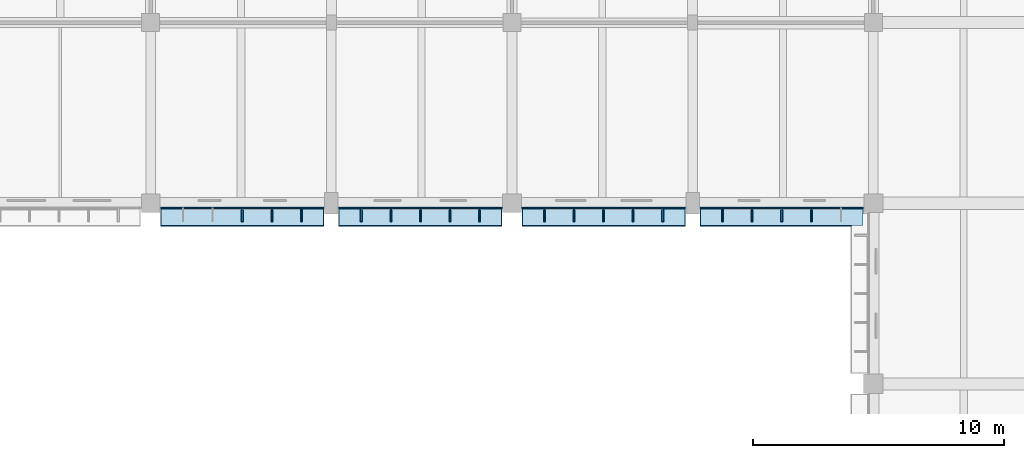
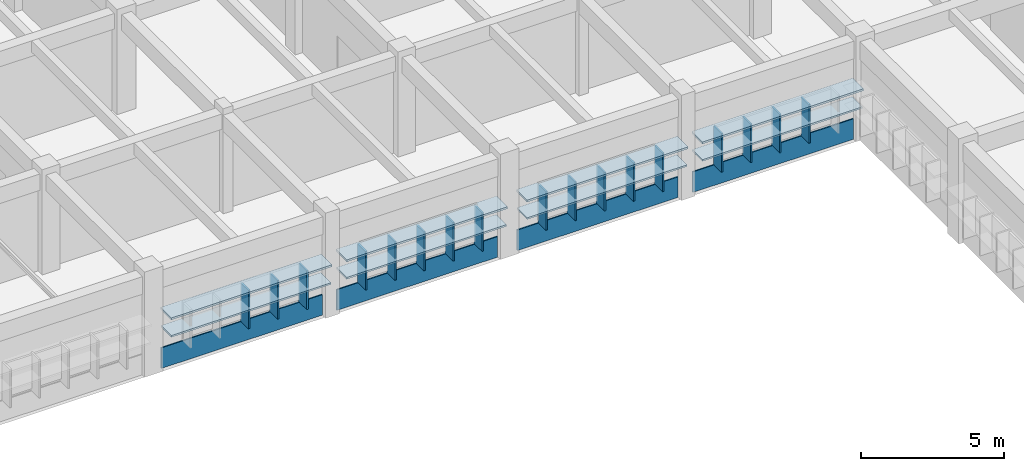
# One storey, part 29 of 61: 29 plates.
"""IFC4 building model written with IfcOpenShell, lengths in metres."""

from ifc_helpers import new_model, si_unit, direction, frame, origin, origin_2d, place, context, subcontext, project, spatial, rectangle, extrude, material, layer, layer_set, type_object, element, save


model = new_model("IFC4")

# Units and contexts
model_context = context("Model", 3, precision=1e-05, world=origin(), true_north=direction((0.0, 1.0)))
body_context = subcontext(model_context, "Body", "Model", "MODEL_VIEW")
ifc_project = project(units=[si_unit("LENGTHUNIT", "METRE"), si_unit("AREAUNIT", "SQUARE_METRE"), si_unit("VOLUMEUNIT", "CUBIC_METRE"), si_unit("PLANEANGLEUNIT", "RADIAN"), si_unit("MASSUNIT", "GRAM", prefix="KILO")], contexts=[model_context])

# Site, building, storey
site_placement = place(None, origin())
site = spatial("IfcSite", under=ifc_project, at=site_placement, CompositionType="ELEMENT")
building_placement = place(site_placement, origin())
building = spatial("IfcBuilding", under=site, at=building_placement, Name="Thalmaran Polytechnic", CompositionType="ELEMENT")
storey_placement = place(building_placement, frame((0.0, 0.0, 9.89990234375)))
storey = spatial("IfcBuildingStorey", under=building, at=storey_placement, Name="L02", CompositionType="ELEMENT", Elevation=9.89990234375)

# Plates
ifc_material_1 = material(Name="Anodised aluminium spandrel band", Category="aluminium")
ifc_layer_1 = layer(ifc_material_1, 0.054931640625, Name="Anodised aluminium spandrel band")
ifc_layer_set_1 = layer_set([ifc_layer_1], Name="Anodised aluminium spandrel band")
plate_type_1 = type_object("IfcPlateType", Name="PT-BD01", PredefinedType="SHEET", material=ifc_layer_set_1)
for number, where, z_axis, x_axis, name in (
    (1, (125.949951171875, 93.405029296875, 0.020263671875), (0.0, 0.0, 1.0), (-1.0, 0.0, 0.0), "Streamline Horizontal Spandrel Band L02-164"),
    (2, (118.85009765625, 93.405029296875, 0.020263671875), (0.0, 0.0, 1.0), (-1.0, 0.0, 0.0), "Streamline Horizontal Spandrel Band L02-165"),
    (3, (111.550048828125, 93.405029296875, 0.020263671875), (0.0, 0.0, 1.0), (-1.0, 0.0, 0.0), "Streamline Horizontal Spandrel Band L02-166"),
    (4, (104.449951171875, 93.405029296875, 0.020263671875), (0.0, 0.0, 1.0), (-1.0, 0.0, 0.0), "Streamline Horizontal Spandrel Band L02-167"),
):
    element("IfcPlate", number, at=place(storey_placement, frame(where, z_axis=z_axis, x_axis=x_axis)), inside=storey, type_object=plate_type_1, Name=name, PredefinedType="SHEET", context=body_context, shape_type="SweptSolid", body=[
        extrude(rectangle(XDim=6.510009765625, YDim=0.054931640625, at=origin_2d()), origin(), (0.0, 0.0, 1.0), 0.8798828125),
    ])
ifc_material_2 = material(Name="Anodised aluminium sun-hood eyebrow", Category="aluminium")
ifc_layer_2 = layer(ifc_material_2, 0.0849609375, Name="Anodised aluminium sun-hood eyebrow")
ifc_layer_set_2 = layer_set([ifc_layer_2], Name="Anodised aluminium sun-hood eyebrow")
plate_type_2 = type_object("IfcPlateType", Name="PT-EB01", PredefinedType="SHEET", material=ifc_layer_set_2)
plate_1_placement = place(storey_placement, frame((125.949951171875, 93.06005859375, 2.517578125), z_axis=(0.0, 0.0, 1.0), x_axis=(-1.0, 0.0, 0.0)))
element("IfcPlate", 5, at=plate_1_placement, inside=storey, type_object=plate_type_2, Name="Streamline Sun-Hood Eyebrow L02-164", PredefinedType="SHEET", context=body_context, shape_type="SweptSolid", body=[
    extrude(rectangle(XDim=6.510009765625, YDim=0.760009765625, at=origin_2d()), origin(), (0.0, 0.0, 1.0), 0.0849609375),
])
plate_2_placement = place(storey_placement, frame((125.949951171875, 93.080078125, 1.74267578125), z_axis=(0.0, 0.0, 1.0), x_axis=(-1.0, 0.0, 0.0)))
element("IfcPlate", 6, at=plate_2_placement, inside=storey, type_object=plate_type_2, Name="Abu Dhabi Horizontal Solar Louvre L02-164", PredefinedType="SHEET", context=body_context, shape_type="SweptSolid", body=[
    extrude(rectangle(XDim=6.469970703125, YDim=0.719970703125, at=origin_2d()), origin(), (0.0, 0.0, 1.0), 0.074951171875),
])
plate_3_placement = place(storey_placement, frame((118.85009765625, 93.06005859375, 2.517578125), z_axis=(0.0, 0.0, 1.0), x_axis=(-1.0, 0.0, 0.0)))
element("IfcPlate", 7, at=plate_3_placement, inside=storey, type_object=plate_type_2, Name="Streamline Sun-Hood Eyebrow L02-165", PredefinedType="SHEET", context=body_context, shape_type="SweptSolid", body=[
    extrude(rectangle(XDim=6.510009765625, YDim=0.760009765625, at=origin_2d()), origin(), (0.0, 0.0, 1.0), 0.0849609375),
])
plate_4_placement = place(storey_placement, frame((118.85009765625, 93.080078125, 1.74267578125), z_axis=(0.0, 0.0, 1.0), x_axis=(-1.0, 0.0, 0.0)))
element("IfcPlate", 8, at=plate_4_placement, inside=storey, type_object=plate_type_2, Name="Abu Dhabi Horizontal Solar Louvre L02-165", PredefinedType="SHEET", context=body_context, shape_type="SweptSolid", body=[
    extrude(rectangle(XDim=6.469970703125, YDim=0.719970703125, at=origin_2d()), origin(), (0.0, 0.0, 1.0), 0.074951171875),
])
plate_5_placement = place(storey_placement, frame((111.550048828125, 93.06005859375, 2.517578125), z_axis=(0.0, 0.0, 1.0), x_axis=(-1.0, 0.0, 0.0)))
element("IfcPlate", 9, at=plate_5_placement, inside=storey, type_object=plate_type_2, Name="Streamline Sun-Hood Eyebrow L02-166", PredefinedType="SHEET", context=body_context, shape_type="SweptSolid", body=[
    extrude(rectangle(XDim=6.510009765625, YDim=0.760009765625, at=origin_2d()), origin(), (0.0, 0.0, 1.0), 0.0849609375),
])
plate_6_placement = place(storey_placement, frame((111.550048828125, 93.080078125, 1.74267578125), z_axis=(0.0, 0.0, 1.0), x_axis=(-1.0, 0.0, 0.0)))
element("IfcPlate", 10, at=plate_6_placement, inside=storey, type_object=plate_type_2, Name="Abu Dhabi Horizontal Solar Louvre L02-166", PredefinedType="SHEET", context=body_context, shape_type="SweptSolid", body=[
    extrude(rectangle(XDim=6.469970703125, YDim=0.719970703125, at=origin_2d()), origin(), (0.0, 0.0, 1.0), 0.074951171875),
])
plate_7_placement = place(storey_placement, frame((104.449951171875, 93.06005859375, 2.517578125), z_axis=(0.0, 0.0, 1.0), x_axis=(-1.0, 0.0, 0.0)))
element("IfcPlate", 11, at=plate_7_placement, inside=storey, type_object=plate_type_2, Name="Streamline Sun-Hood Eyebrow L02-167", PredefinedType="SHEET", context=body_context, shape_type="SweptSolid", body=[
    extrude(rectangle(XDim=6.510009765625, YDim=0.760009765625, at=origin_2d()), origin(), (0.0, 0.0, 1.0), 0.0849609375),
])
plate_8_placement = place(storey_placement, frame((104.449951171875, 93.080078125, 1.74267578125), z_axis=(0.0, 0.0, 1.0), x_axis=(-1.0, 0.0, 0.0)))
element("IfcPlate", 12, at=plate_8_placement, inside=storey, type_object=plate_type_2, Name="Abu Dhabi Horizontal Solar Louvre L02-167", PredefinedType="SHEET", context=body_context, shape_type="SweptSolid", body=[
    extrude(rectangle(XDim=6.469970703125, YDim=0.719970703125, at=origin_2d()), origin(), (0.0, 0.0, 1.0), 0.074951171875),
])
ifc_material_3 = material(Name="Anodised bronze brise-soleil fin")
ifc_layer_3 = layer(ifc_material_3, 0.06494140625, Name="Anodised bronze brise-soleil fin")
ifc_layer_set_3 = layer_set([ifc_layer_3], Name="Anodised bronze brise-soleil fin")
plate_type_3 = type_object("IfcPlateType", Name="PT-FN01", PredefinedType="SHEET", material=ifc_layer_set_3)
for number, where, z_axis, x_axis, name in (
    (13, (127.12890625, 93.139892578125, 0.895263671875), (0.0, 0.0, 1.0), (-1.0, 0.0, 0.0), "Abu Dhabi Solar Brise-Soleil Fin L02-164-2"),
    (14, (125.949951171875, 93.139892578125, 0.895263671875), (0.0, 0.0, 1.0), (-1.0, 0.0, 0.0), "Abu Dhabi Solar Brise-Soleil Fin L02-164-3"),
    (15, (124.77099609375, 93.139892578125, 0.895263671875), (0.0, 0.0, 1.0), (-1.0, 0.0, 0.0), "Abu Dhabi Solar Brise-Soleil Fin L02-164-4"),
    (16, (123.592041015625, 93.139892578125, 0.895263671875), (0.0, 0.0, 1.0), (-1.0, 0.0, 0.0), "Abu Dhabi Solar Brise-Soleil Fin L02-164-5"),
    (17, (121.2080078125, 93.139892578125, 0.895263671875), (0.0, 0.0, 1.0), (-1.0, 0.0, 0.0), "Abu Dhabi Solar Brise-Soleil Fin L02-165-1"),
    (18, (120.029052734375, 93.139892578125, 0.895263671875), (0.0, 0.0, 1.0), (-1.0, 0.0, 0.0), "Abu Dhabi Solar Brise-Soleil Fin L02-165-2"),
    (19, (118.85009765625, 93.139892578125, 0.895263671875), (0.0, 0.0, 1.0), (-1.0, 0.0, 0.0), "Abu Dhabi Solar Brise-Soleil Fin L02-165-3"),
    (20, (117.6708984375, 93.139892578125, 0.895263671875), (0.0, 0.0, 1.0), (-1.0, 0.0, 0.0), "Abu Dhabi Solar Brise-Soleil Fin L02-165-4"),
    (21, (116.491943359375, 93.139892578125, 0.895263671875), (0.0, 0.0, 1.0), (-1.0, 0.0, 0.0), "Abu Dhabi Solar Brise-Soleil Fin L02-165-5"),
    (22, (113.907958984375, 93.139892578125, 0.895263671875), (0.0, 0.0, 1.0), (-1.0, 0.0, 0.0), "Abu Dhabi Solar Brise-Soleil Fin L02-166-1"),
    (23, (112.72900390625, 93.139892578125, 0.895263671875), (0.0, 0.0, 1.0), (-1.0, 0.0, 0.0), "Abu Dhabi Solar Brise-Soleil Fin L02-166-2"),
    (24, (111.550048828125, 93.139892578125, 0.895263671875), (0.0, 0.0, 1.0), (-1.0, 0.0, 0.0), "Abu Dhabi Solar Brise-Soleil Fin L02-166-3"),
    (25, (110.37109375, 93.139892578125, 0.895263671875), (0.0, 0.0, 1.0), (-1.0, 0.0, 0.0), "Abu Dhabi Solar Brise-Soleil Fin L02-166-4"),
    (26, (109.19189453125, 93.139892578125, 0.895263671875), (0.0, 0.0, 1.0), (-1.0, 0.0, 0.0), "Abu Dhabi Solar Brise-Soleil Fin L02-166-5"),
    (27, (106.80810546875, 93.139892578125, 0.895263671875), (0.0, 0.0, 1.0), (-1.0, 0.0, 0.0), "Abu Dhabi Solar Brise-Soleil Fin L02-167-1"),
    (28, (105.62890625, 93.139892578125, 0.895263671875), (0.0, 0.0, 1.0), (-1.0, 0.0, 0.0), "Abu Dhabi Solar Brise-Soleil Fin L02-167-2"),
    (29, (104.449951171875, 93.139892578125, 0.895263671875), (0.0, 0.0, 1.0), (-1.0, 0.0, 0.0), "Abu Dhabi Solar Brise-Soleil Fin L02-167-3"),
):
    element("IfcPlate", number, at=place(storey_placement, frame(where, z_axis=z_axis, x_axis=x_axis)), inside=storey, type_object=plate_type_3, Name=name, PredefinedType="SHEET", context=body_context, shape_type="SweptSolid", body=[
        extrude(rectangle(XDim=0.06494140625, YDim=0.56005859375, at=origin_2d()), origin(), (0.0, 0.0, 1.0), 1.64990234375),
    ])

save(model, "model.ifc")
